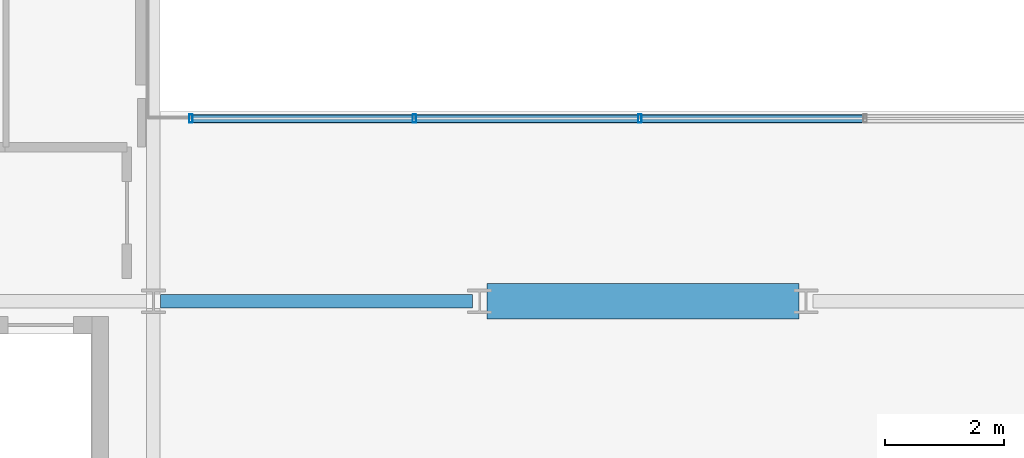
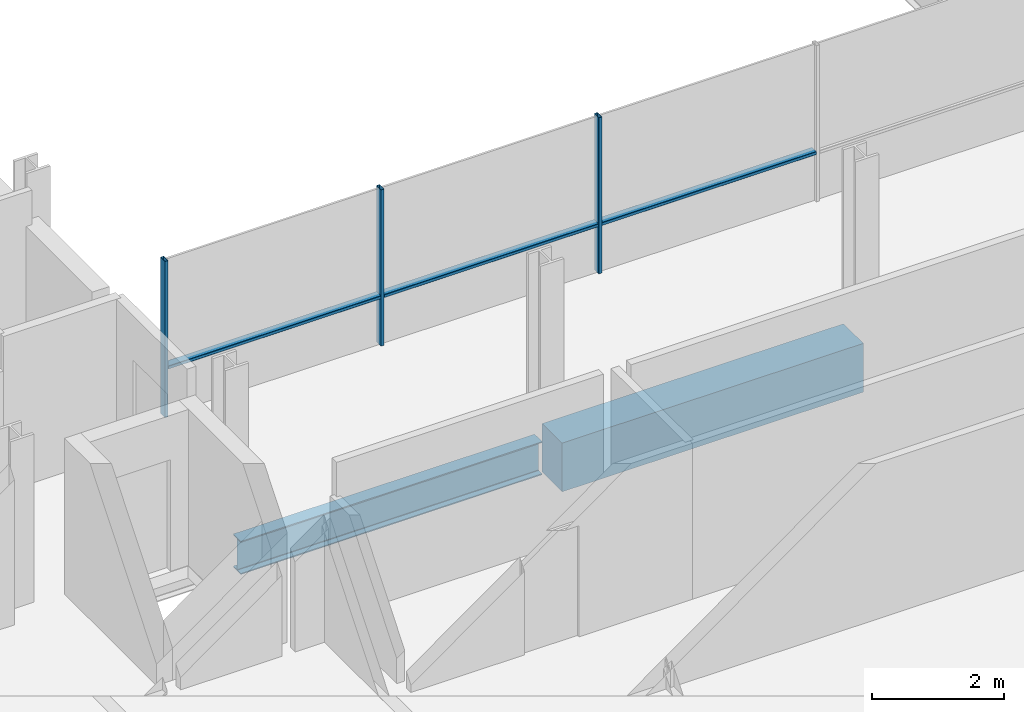
# One storey, part 4 of 40: 6 members, 2 beams, 1 element without a shape of its own.
"""IFC4 building model written with IfcOpenShell, lengths in metres."""

from ifc_helpers import new_model, si_unit, direction, frame, origin, origin_2d, place, context, subcontext, project, spatial, rectangle, hollow_rectangle, i_section, extrude, material, layer, layer_set, material_profile, profile_set, type_object, element, aggregate, save


model = new_model("IFC4")

# Units and contexts
model_context = context("Model", 3, precision=1e-05, world=origin(), true_north=direction((0.0, 1.0)))
body_context = subcontext(model_context, "Body", "Model", "MODEL_VIEW")
ifc_project = project(units=[si_unit("LENGTHUNIT", "METRE"), si_unit("AREAUNIT", "SQUARE_METRE"), si_unit("VOLUMEUNIT", "CUBIC_METRE"), si_unit("PLANEANGLEUNIT", "RADIAN"), si_unit("MASSUNIT", "GRAM", prefix="KILO")], contexts=[model_context])

# Site, building, storey
site_placement = place(None, origin())
site = spatial("IfcSite", under=ifc_project, at=site_placement, CompositionType="ELEMENT")
building_placement = place(site_placement, origin())
building = spatial("IfcBuilding", under=site, at=building_placement, Name="Brevholm Reach", CompositionType="ELEMENT")
storey_placement = place(building_placement, frame((0.0, 0.0, 119.0)))
storey = spatial("IfcBuildingStorey", under=building, at=storey_placement, Name="L35", CompositionType="ELEMENT", Elevation=119.0)

# Beams
ifc_material_1 = material(Name="Concrete C50/60", Category="concrete")
ifc_material_profile_1 = material_profile(ifc_material_1, rectangle(XDim=0.60009765625, YDim=0.89990234375, at=origin_2d()), Name="RC 600x900")
ifc_profile_set_1 = profile_set([ifc_material_profile_1], Name="Concrete C50/60")
beam_type_1 = type_object("IfcBeamType", Name="BM-CB600", PredefinedType="LINTEL", material=ifc_profile_set_1)
beam_1_placement = place(storey_placement, frame((27.3701171875, 10.0, -0.669921875), z_axis=(1.0, 0.0, 0.0), x_axis=(0.0, 1.0, 0.0)))
element("IfcBeam", 1, at=beam_1_placement, inside=storey, type_object=beam_type_1, Name="L35 CB-02 Framing Beam", PredefinedType="LINTEL", context=body_context, shape_type="SweptSolid", body=[
    extrude(rectangle(XDim=0.60009765625, YDim=0.89990234375, at=origin_2d()), origin(), (0.0, 0.0, 1.0), 5.259765625),
])
ifc_material_2 = material(Name="Structural Steel S355J2", Category="steel")
ifc_material_profile_2 = material_profile(ifc_material_2, i_section(OverallWidth=0.22900390625, OverallDepth=0.6123046875, WebThickness=0.011962890625, FlangeThickness=0.01953125, FilletRadius=0.0126953125, at=origin_2d()), Name="UKB 610x229x125")
ifc_profile_set_2 = profile_set([ifc_material_profile_2], Name="Structural Steel S355J2")
beam_type_2 = type_object("IfcBeamType", Name="BM-SP610", PredefinedType="SPANDREL", material=ifc_profile_set_2)
beam_2_placement = place(storey_placement, frame((21.8701171875, 10.0, -0.526123046875), z_axis=(1.0, 0.0, 0.0), x_axis=(0.0, 1.0, 0.0)))
element("IfcBeam", 2, at=beam_2_placement, inside=storey, type_object=beam_type_2, Name="L35 SP-01 Framing Beam", PredefinedType="SPANDREL", context=body_context, shape_type="SweptSolid", body=[
    extrude(i_section(OverallWidth=0.22900390625, OverallDepth=0.6123046875, WebThickness=0.011962890625, FlangeThickness=0.01953125, FilletRadius=0.0126953125, at=origin_2d()), origin(), (0.0, 0.0, 1.0), 5.259765625),
])

# Curtain wall, members
ifc_material_3 = material(Name="Dark Anodised Aluminium 6063-T6 and Solar-Control Glass", Category="aluminium")
ifc_layer = layer(ifc_material_3, 0.139892578125)
ifc_layer_set = layer_set([ifc_layer], Name="Dark Anodised Aluminium 6063-T6 and Solar-Control Glass")
curtain_wall_type = type_object("IfcCurtainWallType", Name="CW-02", PredefinedType="NOTDEFINED", material=ifc_layer_set)
curtain_wall_placement = place(storey_placement, origin())
curtain_wall = element("IfcCurtainWall", 3, at=curtain_wall_placement, inside=storey, type_object=curtain_wall_type, Name="L35 Curtain Wall CW-02", PredefinedType="NOTDEFINED")
ifc_material_4 = material(Name="Dark Anodised Aluminium 6063-T6", Category="aluminium")
ifc_material_profile_3 = material_profile(ifc_material_4, hollow_rectangle(XDim=0.06005859375, YDim=0.139892578125, WallThickness=0.0048828125, InnerFilletRadius=0.0048828125, OuterFilletRadius=0.010009765625, at=origin_2d()), Name="RHS 140x60x5")
ifc_profile_set_3 = profile_set([ifc_material_profile_3], Name="Dark Anodised Aluminium 6063-T6")
member_type_1 = type_object("IfcMemberType", Name="CWM-140", PredefinedType="MULLION", material=ifc_profile_set_3)
member_1_placement = place(storey_placement, frame((22.3798828125, 13.080078125, 0.0), z_axis=(0.0, 0.0, 1.0), x_axis=(1.0, 0.0, 0.0)))
member_1 = element("IfcMember", 4, at=member_1_placement, type_object=member_type_1, Name="CM-140 Mullion 1", PredefinedType="MULLION", context=body_context, shape_type="SweptSolid", body=[
    extrude(hollow_rectangle(XDim=0.06005859375, YDim=0.139892578125, WallThickness=0.0048828125, InnerFilletRadius=0.0048828125, OuterFilletRadius=0.010009765625, at=origin_2d()), origin(), (0.0, 0.0, 1.0), 2.8798828125),
])
member_2_placement = place(storey_placement, frame((26.14990234375, 13.080078125, 0.0), z_axis=(0.0, 0.0, 1.0), x_axis=(1.0, 0.0, 0.0)))
member_2 = element("IfcMember", 5, at=member_2_placement, type_object=member_type_1, Name="CM-140 Mullion 2", PredefinedType="MULLION", context=body_context, shape_type="SweptSolid", body=[
    extrude(hollow_rectangle(XDim=0.06005859375, YDim=0.139892578125, WallThickness=0.0048828125, InnerFilletRadius=0.0048828125, OuterFilletRadius=0.010009765625, at=origin_2d()), origin(), (0.0, 0.0, 1.0), 2.8798828125),
])
member_3_placement = place(storey_placement, frame((29.949951171875, 13.080078125, 0.0), z_axis=(0.0, 0.0, 1.0), x_axis=(1.0, 0.0, 0.0)))
member_3 = element("IfcMember", 6, at=member_3_placement, type_object=member_type_1, Name="CM-140 Mullion 3", PredefinedType="MULLION", context=body_context, shape_type="SweptSolid", body=[
    extrude(hollow_rectangle(XDim=0.06005859375, YDim=0.139892578125, WallThickness=0.0048828125, InnerFilletRadius=0.0048828125, OuterFilletRadius=0.010009765625, at=origin_2d()), origin(), (0.0, 0.0, 1.0), 2.8798828125),
])
ifc_material_5 = material(Name="Dark Anodised Aluminium 6063-T6", Category="aluminium")
ifc_material_profile_4 = material_profile(ifc_material_5, hollow_rectangle(XDim=0.06005859375, YDim=0.139892578125, WallThickness=0.0048828125, InnerFilletRadius=0.0048828125, OuterFilletRadius=0.010009765625, at=origin_2d()), Name="RHS 140x60x5")
ifc_profile_set_4 = profile_set([ifc_material_profile_4], Name="Dark Anodised Aluminium 6063-T6")
member_type_2 = type_object("IfcMemberType", Name="CWT-140", PredefinedType="NOTDEFINED", material=ifc_profile_set_4)
member_4_placement = place(storey_placement, frame((22.409912109375, 13.080078125, 0.89990234375), z_axis=(1.0, 0.0, 0.0), x_axis=(0.0, 0.0, 1.0)))
member_4 = element("IfcMember", 7, at=member_4_placement, type_object=member_type_2, Name="CT-140 Transom 1.1", ObjectType="TRANSOM", PredefinedType="USERDEFINED", context=body_context, shape_type="SweptSolid", body=[
    extrude(hollow_rectangle(XDim=0.06005859375, YDim=0.139892578125, WallThickness=0.0048828125, InnerFilletRadius=0.0048828125, OuterFilletRadius=0.010009765625, at=origin_2d()), origin(), (0.0, 0.0, 1.0), 3.710205078125),
])
member_5_placement = place(storey_placement, frame((26.179931640625, 13.080078125, 0.89990234375), z_axis=(1.0, 0.0, 0.0), x_axis=(0.0, 0.0, 1.0)))
member_5 = element("IfcMember", 8, at=member_5_placement, type_object=member_type_2, Name="CT-140 Transom 2.1", ObjectType="TRANSOM", PredefinedType="USERDEFINED", context=body_context, shape_type="SweptSolid", body=[
    extrude(hollow_rectangle(XDim=0.06005859375, YDim=0.139892578125, WallThickness=0.0048828125, InnerFilletRadius=0.0048828125, OuterFilletRadius=0.010009765625, at=origin_2d()), origin(), (0.0, 0.0, 1.0), 3.739990234375),
])
member_6_placement = place(storey_placement, frame((29.97998046875, 13.080078125, 0.89990234375), z_axis=(1.0, 0.0, 0.0), x_axis=(0.0, 0.0, 1.0)))
member_6 = element("IfcMember", 9, at=member_6_placement, type_object=member_type_2, Name="CT-140 Transom 3.1", ObjectType="TRANSOM", PredefinedType="USERDEFINED", context=body_context, shape_type="SweptSolid", body=[
    extrude(hollow_rectangle(XDim=0.06005859375, YDim=0.139892578125, WallThickness=0.0048828125, InnerFilletRadius=0.0048828125, OuterFilletRadius=0.010009765625, at=origin_2d()), origin(), (0.0, 0.0, 1.0), 3.739990234375),
])
aggregate(curtain_wall, [member_1, member_2, member_3, member_4, member_5, member_6])

save(model, "model.ifc")
